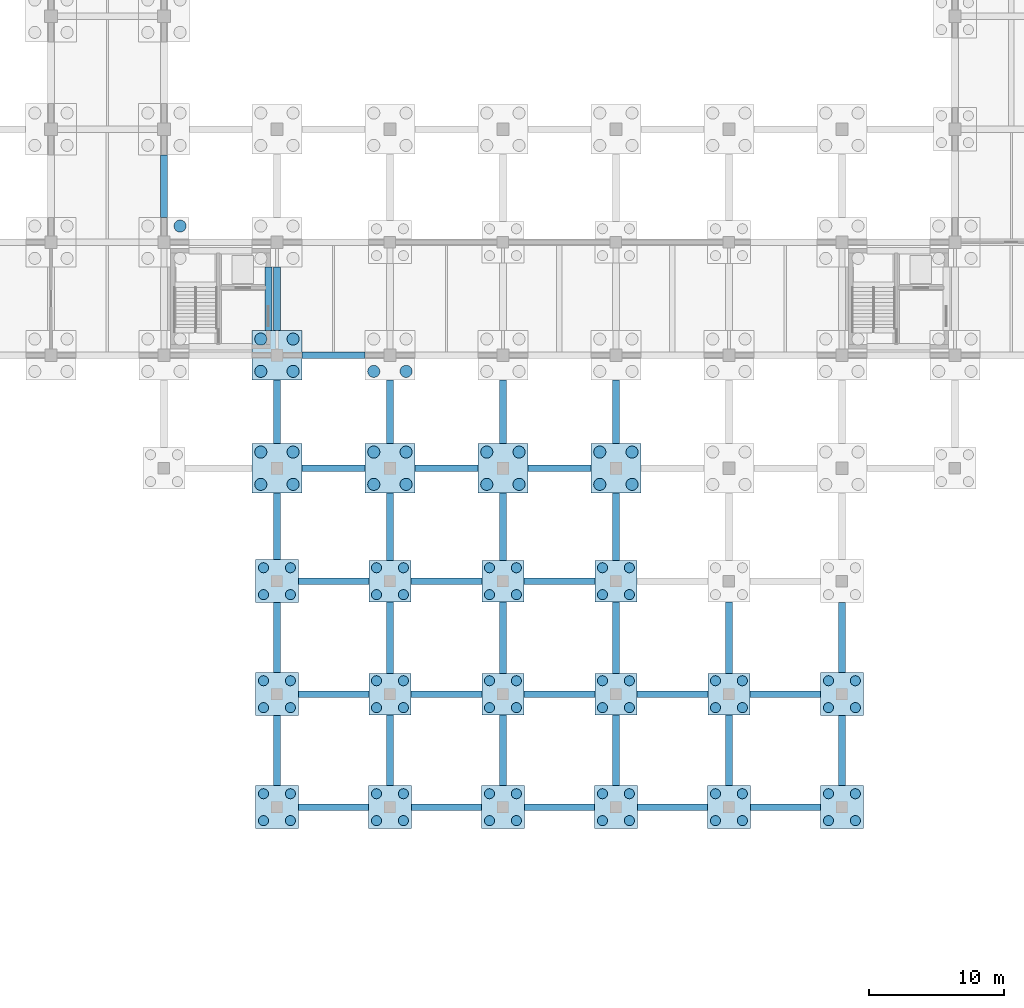
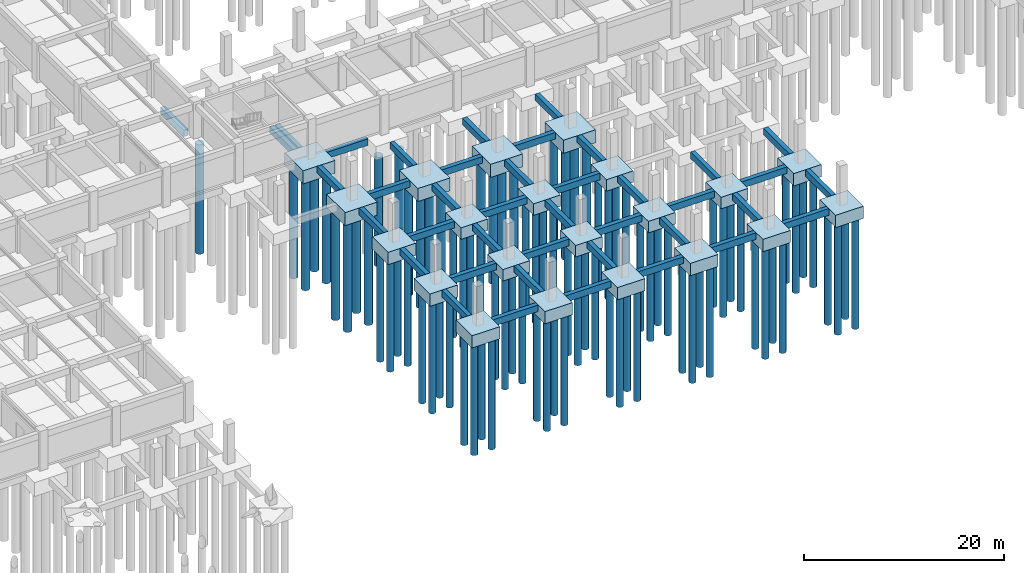
# One storey, part 3 of 29: 87 piles, 61 footings.
"""IFC4 building model written with IfcOpenShell, lengths in metres."""

import ifcopenshell
import ifcopenshell.guid

model = None  # the IFC model being written
_history = None  # IfcOwnerHistory: only IFC2X3 demands one
_inside = {}  # id of a spatial element -> (the spatial element, [elements in it])
_under = {}  # id of a project, library or spatial element -> (it, [spatial elements below it])
_declared = {}  # id of a project -> (the project, [libraries it declares])
_typed = {}  # id of a type object -> (the type object, [elements of that type])
_made_of = {}  # id of a material, layer set ... -> (it, [elements and type objects made of it])


def new_model(schema):
    """Start an empty IFC model of exactly this schema.

    Asked for "IFC4X3", IfcOpenShell would pick the latest addendum, in which some entities
    have other attributes; the version numbers below select the first issue.
    IFC2X3 requires an IfcOwnerHistory on every rooted entity: one is made here for all.
    """
    global model, _history
    if schema == "IFC4X3":
        model = ifcopenshell.file(schema_version=(4, 3, 0, 0))
    else:
        model = ifcopenshell.file(schema=schema)
    _inside.clear()
    _under.clear()
    _declared.clear()
    _typed.clear()
    _made_of.clear()
    _history = None
    if model.schema == "IFC2X3":
        org = make("IfcOrganization", Name="unknown")
        user = make(
            "IfcPersonAndOrganization",
            ThePerson=make("IfcPerson", FamilyName="unknown"),
            TheOrganization=org,
        )
        app = make(
            "IfcApplication",
            ApplicationDeveloper=org,
            Version="unknown",
            ApplicationFullName="unknown",
            ApplicationIdentifier="unknown",
        )
        _history = make(
            "IfcOwnerHistory",
            OwningUser=user,
            OwningApplication=app,
            ChangeAction="ADDED",
            CreationDate=0,
        )
    return model


def make(cls, **values):
    """One entity of the class cls with the attributes given. An attribute that is None is left unset."""
    return model.create_entity(
        cls, **{name: value for name, value in values.items() if value is not None}
    )


def rooted(cls, **values):
    """An entity with a GlobalId (a new one), such as an element, a storey or a relation."""
    return make(cls, GlobalId=ifcopenshell.guid.new(), OwnerHistory=_history, **values)


def si_unit(unit_type, name, prefix=None):
    """IfcSIUnit, for example si_unit("LENGTHUNIT", "METRE", prefix="MILLI")."""
    return make("IfcSIUnit", UnitType=unit_type, Prefix=prefix, Name=name)


def assignment(units):
    """IfcUnitAssignment: the units of a project."""
    return None if units is None else make("IfcUnitAssignment", Units=units)


def point(xyz):
    """IfcCartesianPoint."""
    return None if xyz is None else make("IfcCartesianPoint", Coordinates=xyz)


def direction(xyz):
    """IfcDirection."""
    return None if xyz is None else make("IfcDirection", DirectionRatios=xyz)


def frame(location, z_axis=None, x_axis=None):
    """IfcAxis2Placement3D, a coordinate frame: its origin and axes. An axis left out is left unset."""
    return make(
        "IfcAxis2Placement3D",
        Location=point(location),
        Axis=direction(z_axis),
        RefDirection=direction(x_axis),
    )


def frame_2d(location, x_axis=None):
    """IfcAxis2Placement2D, a coordinate frame in the plane: its origin and x axis."""
    return make(
        "IfcAxis2Placement2D", Location=point(location), RefDirection=direction(x_axis)
    )


def origin():
    """The frame at (0, 0, 0) with its axes left unset."""
    return frame((0.0, 0.0, 0.0))


def origin_2d():
    """The frame at (0, 0) in the plane with its x axis left unset."""
    return frame_2d((0.0, 0.0))


def place(relative_to, where):
    """IfcLocalPlacement: puts the frame where relative to a parent placement (None: the world)."""
    return make(
        "IfcLocalPlacement", PlacementRelTo=relative_to, RelativePlacement=where
    )


def context(
    kind, dimensions, precision=None, world=None, true_north=None, identifier=None
):
    """IfcGeometricRepresentationContext, for example the 3D "Model" context."""
    return make(
        "IfcGeometricRepresentationContext",
        ContextIdentifier=identifier,
        ContextType=kind,
        CoordinateSpaceDimension=dimensions,
        Precision=precision,
        WorldCoordinateSystem=world,
        TrueNorth=true_north,
    )


def subcontext(parent, identifier, kind, view, scale=None):
    """IfcGeometricRepresentationSubContext, for example "Body" below "Model"."""
    return make(
        "IfcGeometricRepresentationSubContext",
        ContextIdentifier=identifier,
        ContextType=kind,
        ParentContext=parent,
        TargetScale=scale,
        TargetView=view,
    )


def project(units=None, contexts=None):
    """IfcProject with its units and contexts."""
    return rooted(
        "IfcProject",
        Name="project",
        RepresentationContexts=contexts,
        UnitsInContext=assignment(units),
    )


def spatial(cls, under=None, at=None, **own):
    """A site, building, storey or space (cls), placed at a placement, below another one or the project."""
    s = rooted(cls, ObjectPlacement=at, **own)
    if under is not None:
        _under.setdefault(under.id(), (under, []))[1].append(s)
    return s


def profile(cls, at=None, kind="AREA", **sizes):
    """A parametric profile (cls). Its sizes go by their IFC names, for example OverallWidth=200.0."""
    return make(cls, ProfileType=kind, Position=at, **sizes)


def rectangle(**sizes):
    """IfcRectangleProfileDef."""
    return profile("IfcRectangleProfileDef", **sizes)


def circle(**sizes):
    """IfcCircleProfileDef."""
    return profile("IfcCircleProfileDef", **sizes)


def extrude(swept, where, along, depth):
    """IfcExtrudedAreaSolid: the profile swept, set in the frame where, extruded along a direction by depth."""
    return make(
        "IfcExtrudedAreaSolid",
        SweptArea=swept,
        Position=where,
        ExtrudedDirection=direction(along),
        Depth=depth,
    )


def shape(context_of_items, identifier, shape_type, items):
    """IfcShapeRepresentation: the items that make up one representation, for example the "Body"."""
    return make(
        "IfcShapeRepresentation",
        ContextOfItems=context_of_items,
        RepresentationIdentifier=identifier,
        RepresentationType=shape_type,
        Items=items,
    )


def material(Name=None, Category=None):
    """IfcMaterial."""
    return make("IfcMaterial", Name=Name, Category=Category)


def material_profile(
    of_material, cross_section, Name=None, Category=None, Priority=None
):
    """IfcMaterialProfile: a cross section and its material."""
    return make(
        "IfcMaterialProfile",
        Name=Name,
        Material=of_material,
        Profile=cross_section,
        Priority=Priority,
        Category=Category,
    )


def profile_set(profiles, Name=None, composite=None):
    """IfcMaterialProfileSet."""
    return make(
        "IfcMaterialProfileSet",
        Name=Name,
        MaterialProfiles=profiles,
        CompositeProfile=composite,
    )


def made_of(thing, what):
    """Note that an element or type object is made of a material, layer set ...; save() writes the relation."""
    if what is not None:
        _made_of.setdefault(what.id(), (what, []))[1].append(thing)
    return thing


def type_object(cls, material=None, **own):
    """A type object (cls), such as IfcWallType, which elements share."""
    return made_of(rooted(cls, **own), material)


def element(
    cls,
    number,
    at=None,
    inside=None,
    cuts=None,
    type_object=None,
    material=None,
    context=None,
    identifier="Body",
    shape_type=None,
    held_by="IfcProductDefinitionShape",
    body=None,
    shapes=None,
    **own,
):
    """One element of the class cls, such as IfcWall. Its Tag is "e" and its number.

    at: its placement. inside: the storey or other place that contains it. cuts: it is an
    opening in that element (IfcRelVoidsElement). A single representation is given by context,
    identifier, shape_type and body (its items); several are given by shapes. held_by: the class
    of the entity that holds the representations. save() writes the other relations.
    """
    e = rooted(cls, Tag="e%d" % number, ObjectPlacement=at, **own)
    if body is not None:
        shapes = [shape(context, identifier, shape_type, body)]
    if shapes is not None:
        e.Representation = make(held_by, Representations=shapes)
    if inside is not None:
        _inside.setdefault(inside.id(), (inside, []))[1].append(e)
    if cuts is not None:
        rooted(
            "IfcRelVoidsElement", RelatingBuildingElement=cuts, RelatedOpeningElement=e
        )
    if type_object is not None:
        _typed.setdefault(type_object.id(), (type_object, []))[1].append(e)
    return made_of(e, material)


def aggregate(whole, parts):
    """IfcRelAggregates: a whole, such as a stair, and the parts it consists of."""
    return rooted("IfcRelAggregates", RelatingObject=whole, RelatedObjects=parts)


def save(model, path):
    """Write the relations noted so far, then the file.

    IfcRelAggregates (storeys below a building ...), IfcRelContainedInSpatialStructure (elements
    in a storey), IfcRelDefinesByType, IfcRelAssociatesMaterial and IfcRelDeclares: one each for
    every whole, place, type object, material and project.
    """
    for whole, parts in _under.values():
        aggregate(whole, parts)
    for where, things in _inside.values():
        rooted(
            "IfcRelContainedInSpatialStructure",
            RelatedElements=things,
            RelatingStructure=where,
        )
    for kind, things in _typed.values():
        rooted("IfcRelDefinesByType", RelatedObjects=things, RelatingType=kind)
    for what, things in _made_of.values():
        rooted("IfcRelAssociatesMaterial", RelatedObjects=things, RelatingMaterial=what)
    for by, libraries in _declared.values():
        rooted("IfcRelDeclares", RelatingContext=by, RelatedDefinitions=libraries)
    model.write(path)


model = new_model("IFC4")

# Units and contexts
model_context = context("Model", 3, precision=1e-05, world=origin(), true_north=direction((0.0, 1.0)))
body_context = subcontext(model_context, "Body", "Model", "MODEL_VIEW")
ifc_project = project(units=[si_unit("LENGTHUNIT", "METRE"), si_unit("AREAUNIT", "SQUARE_METRE"), si_unit("VOLUMEUNIT", "CUBIC_METRE"), si_unit("PLANEANGLEUNIT", "RADIAN"), si_unit("MASSUNIT", "GRAM", prefix="KILO")], contexts=[model_context])

# Site, building, storey
site_placement = place(None, origin())
site = spatial("IfcSite", under=ifc_project, at=site_placement, CompositionType="ELEMENT")
building_placement = place(site_placement, origin())
building = spatial("IfcBuilding", under=site, at=building_placement, Name="Porcellanite Civic Hall", CompositionType="ELEMENT")
storey_placement = place(building_placement, frame((0.0, 0.0, -4.5)))
storey = spatial("IfcBuildingStorey", under=building, at=storey_placement, Name="B1", CompositionType="ELEMENT", Elevation=-4.5)

# Footings
ifc_material_1 = material(Name="Concrete N40 (40 MPa)", Category="concrete")
ifc_material_profile_1 = material_profile(ifc_material_1, rectangle(XDim=0.5, YDim=0.800048828125, at=origin_2d()), Name="RC-500x800")
ifc_profile_set_1 = profile_set([ifc_material_profile_1], Name="Concrete N40 (40 MPa)")
footing_type_1 = type_object("IfcFootingType", Name="GB-01", PredefinedType="FOOTING_BEAM", material=ifc_profile_set_1)
footing_1_placement = place(storey_placement, frame((58.800048828125, 60.64990234375, -0.75), z_axis=(0.0, 1.0, 0.0), x_axis=(-1.0, 0.0, 0.0)))
element("IfcFooting", 1, at=footing_1_placement, inside=storey, type_object=footing_type_1, Name="Ground tie beam B1 7-7 Y", PredefinedType="FOOTING_BEAM", context=body_context, shape_type="SweptSolid", body=[
    extrude(rectangle(XDim=0.5, YDim=0.800048828125, at=origin_2d()), origin(), (0.0, 0.0, 1.0), 4.650146484375),
])
footing_2_placement = place(storey_placement, frame((68.800048828125, 16.800048828125, -0.75), z_axis=(1.0, 0.0, 0.0), x_axis=(0.0, 1.0, 0.0)))
element("IfcFooting", 2, at=footing_2_placement, inside=storey, type_object=footing_type_1, Name="Ground tie beam B1 8-2 X", PredefinedType="FOOTING_BEAM", context=body_context, shape_type="SweptSolid", body=[
    extrude(rectangle(XDim=0.5, YDim=0.800048828125, at=origin_2d()), origin(), (0.0, 0.0, 1.0), 5.199951171875),
])
footing_3_placement = place(storey_placement, frame((67.199951171875, 18.39990234375, -0.75), z_axis=(0.0, 1.0, 0.0), x_axis=(-1.0, 0.0, 0.0)))
element("IfcFooting", 3, at=footing_3_placement, inside=storey, type_object=footing_type_1, Name="Ground tie beam B1 8-2 Y", PredefinedType="FOOTING_BEAM", context=body_context, shape_type="SweptSolid", body=[
    extrude(rectangle(XDim=0.5, YDim=0.800048828125, at=origin_2d()), origin(), (0.0, 0.0, 1.0), 5.2001953125),
])
footing_4_placement = place(storey_placement, frame((68.800048828125, 25.199951171875, -0.75), z_axis=(1.0, 0.0, 0.0), x_axis=(0.0, 1.0, 0.0)))
element("IfcFooting", 4, at=footing_4_placement, inside=storey, type_object=footing_type_1, Name="Ground tie beam B1 8-3 X", PredefinedType="FOOTING_BEAM", context=body_context, shape_type="SweptSolid", body=[
    extrude(rectangle(XDim=0.5, YDim=0.800048828125, at=origin_2d()), origin(), (0.0, 0.0, 1.0), 5.25),
])
footing_5_placement = place(storey_placement, frame((67.199951171875, 26.800048828125, -0.75), z_axis=(0.0, 1.0, 0.0), x_axis=(-1.0, 0.0, 0.0)))
element("IfcFooting", 5, at=footing_5_placement, inside=storey, type_object=footing_type_1, Name="Ground tie beam B1 8-3 Y", PredefinedType="FOOTING_BEAM", context=body_context, shape_type="SweptSolid", body=[
    extrude(rectangle(XDim=0.5, YDim=0.800048828125, at=origin_2d()), origin(), (0.0, 0.0, 1.0), 5.199951171875),
])
footing_6_placement = place(storey_placement, frame((68.800048828125, 33.60009765625, -0.75), z_axis=(1.0, 0.0, 0.0), x_axis=(0.0, 1.0, 0.0)))
element("IfcFooting", 6, at=footing_6_placement, inside=storey, type_object=footing_type_1, Name="Ground tie beam B1 8-4 X", PredefinedType="FOOTING_BEAM", context=body_context, shape_type="SweptSolid", body=[
    extrude(rectangle(XDim=0.5, YDim=0.800048828125, at=origin_2d()), origin(), (0.0, 0.0, 1.0), 5.25),
])
footing_7_placement = place(storey_placement, frame((67.199951171875, 35.199951171875, -0.75), z_axis=(0.0, 1.0, 0.0), x_axis=(-1.0, 0.0, 0.0)))
element("IfcFooting", 7, at=footing_7_placement, inside=storey, type_object=footing_type_1, Name="Ground tie beam B1 8-4 Y", PredefinedType="FOOTING_BEAM", context=body_context, shape_type="SweptSolid", body=[
    extrude(rectangle(XDim=0.5, YDim=0.800048828125, at=origin_2d()), origin(), (0.0, 0.0, 1.0), 4.949951171875),
])
for number, where, z_axis, x_axis, name in (
    (8, (69.050048828125, 42.0, -0.75), (1.0, 0.0, 0.0), (0.0, 1.0, 0.0), "Ground tie beam B1 8-5 X"),
    (9, (67.199951171875, 43.85009765625, -0.75), (0.0, 1.0, 0.0), (-1.0, 0.0, 0.0), "Ground tie beam B1 8-5 Y"),
    (10, (69.050048828125, 50.39990234375, -0.75), (1.0, 0.0, 0.0), (0.0, 1.0, 0.0), "Ground tie beam B1 8-6 X"),
    (11, (67.199951171875, 52.25, -0.75), (0.0, 1.0, 0.0), (-1.0, 0.0, 0.0), "Ground tie beam B1 8-6 Y"),
):
    element("IfcFooting", number, at=place(storey_placement, frame(where, z_axis=z_axis, x_axis=x_axis)), inside=storey, type_object=footing_type_1, Name=name, PredefinedType="FOOTING_BEAM", context=body_context, shape_type="SweptSolid", body=[
        extrude(rectangle(XDim=0.5, YDim=0.800048828125, at=origin_2d()), origin(), (0.0, 0.0, 1.0), 4.699951171875),
    ])
footing_8_placement = place(storey_placement, frame((77.199951171875, 16.800048828125, -0.75), z_axis=(1.0, 0.0, 0.0), x_axis=(0.0, 1.0, 0.0)))
element("IfcFooting", 12, at=footing_8_placement, inside=storey, type_object=footing_type_1, Name="Ground tie beam B1 9-2 X", PredefinedType="FOOTING_BEAM", context=body_context, shape_type="SweptSolid", body=[
    extrude(rectangle(XDim=0.5, YDim=0.800048828125, at=origin_2d()), origin(), (0.0, 0.0, 1.0), 5.199951171875),
])
footing_9_placement = place(storey_placement, frame((75.60009765625, 18.39990234375, -0.75), z_axis=(0.0, 1.0, 0.0), x_axis=(-1.0, 0.0, 0.0)))
element("IfcFooting", 13, at=footing_9_placement, inside=storey, type_object=footing_type_1, Name="Ground tie beam B1 9-2 Y", PredefinedType="FOOTING_BEAM", context=body_context, shape_type="SweptSolid", body=[
    extrude(rectangle(XDim=0.5, YDim=0.800048828125, at=origin_2d()), origin(), (0.0, 0.0, 1.0), 5.25),
])
for number, where, z_axis, x_axis, name in (
    (14, (77.14990234375, 25.199951171875, -0.75), (1.0, 0.0, 0.0), (0.0, 1.0, 0.0), "Ground tie beam B1 9-3 X"),
    (15, (75.60009765625, 26.75, -0.75), (0.0, 1.0, 0.0), (-1.0, 0.0, 0.0), "Ground tie beam B1 9-3 Y"),
    (16, (77.14990234375, 33.60009765625, -0.75), (1.0, 0.0, 0.0), (0.0, 1.0, 0.0), "Ground tie beam B1 9-4 X"),
):
    element("IfcFooting", number, at=place(storey_placement, frame(where, z_axis=z_axis, x_axis=x_axis)), inside=storey, type_object=footing_type_1, Name=name, PredefinedType="FOOTING_BEAM", context=body_context, shape_type="SweptSolid", body=[
        extrude(rectangle(XDim=0.5, YDim=0.800048828125, at=origin_2d()), origin(), (0.0, 0.0, 1.0), 5.300048828125),
    ])
footing_10_placement = place(storey_placement, frame((75.60009765625, 35.14990234375, -0.75), z_axis=(0.0, 1.0, 0.0), x_axis=(-1.0, 0.0, 0.0)))
element("IfcFooting", 17, at=footing_10_placement, inside=storey, type_object=footing_type_1, Name="Ground tie beam B1 9-4 Y", PredefinedType="FOOTING_BEAM", context=body_context, shape_type="SweptSolid", body=[
    extrude(rectangle(XDim=0.5, YDim=0.800048828125, at=origin_2d()), origin(), (0.0, 0.0, 1.0), 5.0),
])
for number, where, z_axis, x_axis, name in (
    (18, (77.449951171875, 42.0, -0.75), (1.0, 0.0, 0.0), (0.0, 1.0, 0.0), "Ground tie beam B1 9-5 X"),
    (19, (75.60009765625, 43.85009765625, -0.75), (0.0, 1.0, 0.0), (-1.0, 0.0, 0.0), "Ground tie beam B1 9-5 Y"),
):
    element("IfcFooting", number, at=place(storey_placement, frame(where, z_axis=z_axis, x_axis=x_axis)), inside=storey, type_object=footing_type_1, Name=name, PredefinedType="FOOTING_BEAM", context=body_context, shape_type="SweptSolid", body=[
        extrude(rectangle(XDim=0.5, YDim=0.800048828125, at=origin_2d()), origin(), (0.0, 0.0, 1.0), 4.699951171875),
    ])
footing_11_placement = place(storey_placement, frame((85.60009765625, 16.800048828125, -0.75), z_axis=(1.0, 0.0, 0.0), x_axis=(0.0, 1.0, 0.0)))
element("IfcFooting", 20, at=footing_11_placement, inside=storey, type_object=footing_type_1, Name="Ground tie beam B1 10-2 X", PredefinedType="FOOTING_BEAM", context=body_context, shape_type="SweptSolid", body=[
    extrude(rectangle(XDim=0.5, YDim=0.800048828125, at=origin_2d()), origin(), (0.0, 0.0, 1.0), 5.199951171875),
])
footing_12_placement = place(storey_placement, frame((84.0, 18.39990234375, -0.75), z_axis=(0.0, 1.0, 0.0), x_axis=(-1.0, 0.0, 0.0)))
element("IfcFooting", 21, at=footing_12_placement, inside=storey, type_object=footing_type_1, Name="Ground tie beam B1 10-2 Y", PredefinedType="FOOTING_BEAM", context=body_context, shape_type="SweptSolid", body=[
    extrude(rectangle(XDim=0.5, YDim=0.800048828125, at=origin_2d()), origin(), (0.0, 0.0, 1.0), 5.25),
])
for number, where, z_axis, x_axis, name in (
    (22, (85.550048828125, 25.199951171875, -0.75), (1.0, 0.0, 0.0), (0.0, 1.0, 0.0), "Ground tie beam B1 10-3 X"),
    (23, (84.0, 26.75, -0.75), (0.0, 1.0, 0.0), (-1.0, 0.0, 0.0), "Ground tie beam B1 10-3 Y"),
    (24, (85.550048828125, 33.60009765625, -0.75), (1.0, 0.0, 0.0), (0.0, 1.0, 0.0), "Ground tie beam B1 10-4 X"),
):
    element("IfcFooting", number, at=place(storey_placement, frame(where, z_axis=z_axis, x_axis=x_axis)), inside=storey, type_object=footing_type_1, Name=name, PredefinedType="FOOTING_BEAM", context=body_context, shape_type="SweptSolid", body=[
        extrude(rectangle(XDim=0.5, YDim=0.800048828125, at=origin_2d()), origin(), (0.0, 0.0, 1.0), 5.300048828125),
    ])
footing_13_placement = place(storey_placement, frame((84.0, 35.14990234375, -0.75), z_axis=(0.0, 1.0, 0.0), x_axis=(-1.0, 0.0, 0.0)))
element("IfcFooting", 25, at=footing_13_placement, inside=storey, type_object=footing_type_1, Name="Ground tie beam B1 10-4 Y", PredefinedType="FOOTING_BEAM", context=body_context, shape_type="SweptSolid", body=[
    extrude(rectangle(XDim=0.5, YDim=0.800048828125, at=origin_2d()), origin(), (0.0, 0.0, 1.0), 5.0),
])
for number, where, z_axis, x_axis, name in (
    (26, (85.85009765625, 42.0, -0.75), (1.0, 0.0, 0.0), (0.0, 1.0, 0.0), "Ground tie beam B1 10-5 X"),
    (27, (84.0, 43.85009765625, -0.75), (0.0, 1.0, 0.0), (-1.0, 0.0, 0.0), "Ground tie beam B1 10-5 Y"),
):
    element("IfcFooting", number, at=place(storey_placement, frame(where, z_axis=z_axis, x_axis=x_axis)), inside=storey, type_object=footing_type_1, Name=name, PredefinedType="FOOTING_BEAM", context=body_context, shape_type="SweptSolid", body=[
        extrude(rectangle(XDim=0.5, YDim=0.800048828125, at=origin_2d()), origin(), (0.0, 0.0, 1.0), 4.699951171875),
    ])
footing_14_placement = place(storey_placement, frame((94.0, 16.800048828125, -0.75), z_axis=(1.0, 0.0, 0.0), x_axis=(0.0, 1.0, 0.0)))
element("IfcFooting", 28, at=footing_14_placement, inside=storey, type_object=footing_type_1, Name="Ground tie beam B1 11-2 X", PredefinedType="FOOTING_BEAM", context=body_context, shape_type="SweptSolid", body=[
    extrude(rectangle(XDim=0.5, YDim=0.800048828125, at=origin_2d()), origin(), (0.0, 0.0, 1.0), 5.199951171875),
])
footing_15_placement = place(storey_placement, frame((92.39990234375, 18.39990234375, -0.75), z_axis=(0.0, 1.0, 0.0), x_axis=(-1.0, 0.0, 0.0)))
element("IfcFooting", 29, at=footing_15_placement, inside=storey, type_object=footing_type_1, Name="Ground tie beam B1 11-2 Y", PredefinedType="FOOTING_BEAM", context=body_context, shape_type="SweptSolid", body=[
    extrude(rectangle(XDim=0.5, YDim=0.800048828125, at=origin_2d()), origin(), (0.0, 0.0, 1.0), 5.25),
])
for number, where, z_axis, x_axis, name in (
    (30, (93.949951171875, 25.199951171875, -0.75), (1.0, 0.0, 0.0), (0.0, 1.0, 0.0), "Ground tie beam B1 11-3 X"),
    (31, (92.39990234375, 26.75, -0.75), (0.0, 1.0, 0.0), (-1.0, 0.0, 0.0), "Ground tie beam B1 11-3 Y"),
):
    element("IfcFooting", number, at=place(storey_placement, frame(where, z_axis=z_axis, x_axis=x_axis)), inside=storey, type_object=footing_type_1, Name=name, PredefinedType="FOOTING_BEAM", context=body_context, shape_type="SweptSolid", body=[
        extrude(rectangle(XDim=0.5, YDim=0.800048828125, at=origin_2d()), origin(), (0.0, 0.0, 1.0), 5.300048828125),
    ])
footing_16_placement = place(storey_placement, frame((92.39990234375, 35.14990234375, -0.75), z_axis=(0.0, 1.0, 0.0), x_axis=(-1.0, 0.0, 0.0)))
element("IfcFooting", 32, at=footing_16_placement, inside=storey, type_object=footing_type_1, Name="Ground tie beam B1 11-4 Y", PredefinedType="FOOTING_BEAM", context=body_context, shape_type="SweptSolid", body=[
    extrude(rectangle(XDim=0.5, YDim=0.800048828125, at=origin_2d()), origin(), (0.0, 0.0, 1.0), 5.0),
])
footing_17_placement = place(storey_placement, frame((92.39990234375, 43.85009765625, -0.75), z_axis=(0.0, 1.0, 0.0), x_axis=(-1.0, 0.0, 0.0)))
element("IfcFooting", 33, at=footing_17_placement, inside=storey, type_object=footing_type_1, Name="Ground tie beam B1 11-5 Y", PredefinedType="FOOTING_BEAM", context=body_context, shape_type="SweptSolid", body=[
    extrude(rectangle(XDim=0.5, YDim=0.800048828125, at=origin_2d()), origin(), (0.0, 0.0, 1.0), 4.699951171875),
])
footing_18_placement = place(storey_placement, frame((102.39990234375, 16.800048828125, -0.75), z_axis=(1.0, 0.0, 0.0), x_axis=(0.0, 1.0, 0.0)))
element("IfcFooting", 34, at=footing_18_placement, inside=storey, type_object=footing_type_1, Name="Ground tie beam B1 12-2 X", PredefinedType="FOOTING_BEAM", context=body_context, shape_type="SweptSolid", body=[
    extrude(rectangle(XDim=0.5, YDim=0.800048828125, at=origin_2d()), origin(), (0.0, 0.0, 1.0), 5.2001953125),
])
for number, where, z_axis, x_axis, name in (
    (35, (100.800048828125, 18.39990234375, -0.75), (0.0, 1.0, 0.0), (-1.0, 0.0, 0.0), "Ground tie beam B1 12-2 Y"),
    (36, (102.35009765625, 25.199951171875, -0.75), (1.0, 0.0, 0.0), (0.0, 1.0, 0.0), "Ground tie beam B1 12-3 X"),
):
    element("IfcFooting", number, at=place(storey_placement, frame(where, z_axis=z_axis, x_axis=x_axis)), inside=storey, type_object=footing_type_1, Name=name, PredefinedType="FOOTING_BEAM", context=body_context, shape_type="SweptSolid", body=[
        extrude(rectangle(XDim=0.5, YDim=0.800048828125, at=origin_2d()), origin(), (0.0, 0.0, 1.0), 5.25),
    ])
footing_19_placement = place(storey_placement, frame((100.800048828125, 26.75, -0.75), z_axis=(0.0, 1.0, 0.0), x_axis=(-1.0, 0.0, 0.0)))
element("IfcFooting", 37, at=footing_19_placement, inside=storey, type_object=footing_type_1, Name="Ground tie beam B1 12-3 Y", PredefinedType="FOOTING_BEAM", context=body_context, shape_type="SweptSolid", body=[
    extrude(rectangle(XDim=0.5, YDim=0.800048828125, at=origin_2d()), origin(), (0.0, 0.0, 1.0), 5.300048828125),
])
footing_20_placement = place(storey_placement, frame((109.199951171875, 18.39990234375, -0.75), z_axis=(0.0, 1.0, 0.0), x_axis=(-1.0, 0.0, 0.0)))
element("IfcFooting", 38, at=footing_20_placement, inside=storey, type_object=footing_type_1, Name="Ground tie beam B1 13-2 Y", PredefinedType="FOOTING_BEAM", context=body_context, shape_type="SweptSolid", body=[
    extrude(rectangle(XDim=0.5, YDim=0.800048828125, at=origin_2d()), origin(), (0.0, 0.0, 1.0), 5.2001953125),
])
footing_21_placement = place(storey_placement, frame((109.199951171875, 26.800048828125, -0.75), z_axis=(0.0, 1.0, 0.0), x_axis=(-1.0, 0.0, 0.0)))
element("IfcFooting", 39, at=footing_21_placement, inside=storey, type_object=footing_type_1, Name="Ground tie beam B1 13-3 Y", PredefinedType="FOOTING_BEAM", context=body_context, shape_type="SweptSolid", body=[
    extrude(rectangle(XDim=0.5, YDim=0.800048828125, at=origin_2d()), origin(), (0.0, 0.0, 1.0), 5.199951171875),
])
footing_22_placement = place(storey_placement, frame((66.570068359375, 52.25, -0.75), z_axis=(0.0, 1.0, 0.0), x_axis=(-1.0, 0.0, 0.0)))
element("IfcFooting", 40, at=footing_22_placement, inside=storey, type_object=footing_type_1, Name="Core strip footing C5 E", PredefinedType="FOOTING_BEAM", context=body_context, shape_type="SweptSolid", body=[
    extrude(rectangle(XDim=0.5, YDim=0.800048828125, at=origin_2d()), origin(), (0.0, 0.0, 1.0), 4.699951171875),
])
ifc_material_2 = material(Name="Concrete N40 (40 MPa)", Category="concrete")
footing_type_2 = type_object("IfcFootingType", Name="PC-01", PredefinedType="PILE_CAP", material=ifc_material_2)
for number, where, z_axis, x_axis, name in (
    (41, (75.60009765625, 25.199951171875, -1.75), (0.0, 0.0, 1.0), (1.0, 0.0, 0.0), "Pile cap 9-3"),
    (42, (75.60009765625, 33.60009765625, -1.75), (0.0, 0.0, 1.0), (1.0, 0.0, 0.0), "Pile cap 9-4"),
    (43, (84.0, 25.199951171875, -1.75), (0.0, 0.0, 1.0), (1.0, 0.0, 0.0), "Pile cap 10-3"),
    (44, (84.0, 33.60009765625, -1.75), (0.0, 0.0, 1.0), (1.0, 0.0, 0.0), "Pile cap 10-4"),
    (45, (92.39990234375, 25.199951171875, -1.75), (0.0, 0.0, 1.0), (1.0, 0.0, 0.0), "Pile cap 11-3"),
    (46, (92.39990234375, 33.60009765625, -1.75), (0.0, 0.0, 1.0), (1.0, 0.0, 0.0), "Pile cap 11-4"),
    (47, (100.800048828125, 25.199951171875, -1.75), (0.0, 0.0, 1.0), (1.0, 0.0, 0.0), "Pile cap 12-3"),
):
    element("IfcFooting", number, at=place(storey_placement, frame(where, z_axis=z_axis, x_axis=x_axis)), inside=storey, type_object=footing_type_2, Name=name, PredefinedType="PILE_CAP", context=body_context, shape_type="SweptSolid", body=[
        extrude(rectangle(XDim=3.10009765625, YDim=3.10009765625, at=origin_2d()), origin(), (0.0, 0.0, 1.0), 1.39990234375),
    ])
ifc_material_3 = material(Name="Concrete N40 (40 MPa)", Category="concrete")
footing_type_3 = type_object("IfcFootingType", Name="PC-02", PredefinedType="PILE_CAP", material=ifc_material_3)
for number, where, z_axis, x_axis, name in (
    (48, (67.199951171875, 16.800048828125, -1.85009765625), (0.0, 0.0, 1.0), (1.0, 0.0, 0.0), "Pile cap 8-2"),
    (49, (67.199951171875, 25.199951171875, -1.85009765625), (0.0, 0.0, 1.0), (1.0, 0.0, 0.0), "Pile cap 8-3"),
    (50, (67.199951171875, 33.60009765625, -1.85009765625), (0.0, 0.0, 1.0), (1.0, 0.0, 0.0), "Pile cap 8-4"),
    (51, (75.60009765625, 16.800048828125, -1.85009765625), (0.0, 0.0, 1.0), (1.0, 0.0, 0.0), "Pile cap 9-2"),
    (52, (84.0, 16.800048828125, -1.85009765625), (0.0, 0.0, 1.0), (1.0, 0.0, 0.0), "Pile cap 10-2"),
    (53, (92.39990234375, 16.800048828125, -1.85009765625), (0.0, 0.0, 1.0), (1.0, 0.0, 0.0), "Pile cap 11-2"),
    (54, (100.800048828125, 16.800048828125, -1.85009765625), (0.0, 0.0, 1.0), (1.0, 0.0, 0.0), "Pile cap 12-2"),
    (55, (109.199951171875, 16.800048828125, -1.85009765625), (0.0, 0.0, 1.0), (1.0, 0.0, 0.0), "Pile cap 13-2"),
    (56, (109.199951171875, 25.199951171875, -1.85009765625), (0.0, 0.0, 1.0), (1.0, 0.0, 0.0), "Pile cap 13-3"),
):
    element("IfcFooting", number, at=place(storey_placement, frame(where, z_axis=z_axis, x_axis=x_axis)), inside=storey, type_object=footing_type_3, Name=name, PredefinedType="PILE_CAP", context=body_context, shape_type="SweptSolid", body=[
        extrude(rectangle(XDim=3.199951171875, YDim=3.199951171875, at=origin_2d()), origin(), (0.0, 0.0, 1.0), 1.5),
    ])
ifc_material_4 = material(Name="Concrete N40 (40 MPa)", Category="concrete")
footing_type_4 = type_object("IfcFootingType", Name="PC-03", PredefinedType="PILE_CAP", material=ifc_material_4)
for number, where, z_axis, x_axis, name in (
    (57, (67.199951171875, 42.0, -1.949951171875), (0.0, 0.0, 1.0), (1.0, 0.0, 0.0), "Pile cap 8-5"),
    (58, (67.199951171875, 50.39990234375, -1.949951171875), (0.0, 0.0, 1.0), (1.0, 0.0, 0.0), "Pile cap 8-6"),
    (59, (75.60009765625, 42.0, -1.949951171875), (0.0, 0.0, 1.0), (1.0, 0.0, 0.0), "Pile cap 9-5"),
    (60, (84.0, 42.0, -1.949951171875), (0.0, 0.0, 1.0), (1.0, 0.0, 0.0), "Pile cap 10-5"),
    (61, (92.39990234375, 42.0, -1.949951171875), (0.0, 0.0, 1.0), (1.0, 0.0, 0.0), "Pile cap 11-5"),
):
    element("IfcFooting", number, at=place(storey_placement, frame(where, z_axis=z_axis, x_axis=x_axis)), inside=storey, type_object=footing_type_4, Name=name, PredefinedType="PILE_CAP", context=body_context, shape_type="SweptSolid", body=[
        extrude(rectangle(XDim=3.699951171875, YDim=3.699951171875, at=origin_2d()), origin(), (0.0, 0.0, 1.0), 1.60009765625),
    ])

# Piles
ifc_material_5 = material(Name="Concrete N40 (40 MPa)", Category="concrete")
ifc_material_profile_2 = material_profile(ifc_material_5, circle(Radius=0.375, at=origin_2d()), Name="PILE-D750")
ifc_profile_set_2 = profile_set([ifc_material_profile_2], Name="Concrete N40 (40 MPa)")
pile_type_1 = type_object("IfcPileType", Name="PL-750", PredefinedType="BORED", material=ifc_profile_set_2)
for number, where, z_axis, x_axis, name in (
    (62, (66.199951171875, 15.800048828125, -1.85009765625), (0.0, 0.0, -1.0), (1.0, 0.0, 0.0), "Bored pile 8-2-1"),
    (63, (66.199951171875, 17.800048828125, -1.85009765625), (0.0, 0.0, -1.0), (1.0, 0.0, 0.0), "Bored pile 8-2-2"),
    (64, (68.199951171875, 15.800048828125, -1.85009765625), (0.0, 0.0, -1.0), (1.0, 0.0, 0.0), "Bored pile 8-2-3"),
    (65, (68.199951171875, 17.800048828125, -1.85009765625), (0.0, 0.0, -1.0), (1.0, 0.0, 0.0), "Bored pile 8-2-4"),
    (66, (66.199951171875, 24.199951171875, -1.85009765625), (0.0, 0.0, -1.0), (1.0, 0.0, 0.0), "Bored pile 8-3-1"),
    (67, (66.199951171875, 26.199951171875, -1.85009765625), (0.0, 0.0, -1.0), (1.0, 0.0, 0.0), "Bored pile 8-3-2"),
    (68, (68.199951171875, 24.199951171875, -1.85009765625), (0.0, 0.0, -1.0), (1.0, 0.0, 0.0), "Bored pile 8-3-3"),
    (69, (68.199951171875, 26.199951171875, -1.85009765625), (0.0, 0.0, -1.0), (1.0, 0.0, 0.0), "Bored pile 8-3-4"),
    (70, (66.199951171875, 32.60009765625, -1.85009765625), (0.0, 0.0, -1.0), (1.0, 0.0, 0.0), "Bored pile 8-4-1"),
    (71, (66.199951171875, 34.60009765625, -1.85009765625), (0.0, 0.0, -1.0), (1.0, 0.0, 0.0), "Bored pile 8-4-2"),
    (72, (68.199951171875, 32.60009765625, -1.85009765625), (0.0, 0.0, -1.0), (1.0, 0.0, 0.0), "Bored pile 8-4-3"),
    (73, (68.199951171875, 34.60009765625, -1.85009765625), (0.0, 0.0, -1.0), (1.0, 0.0, 0.0), "Bored pile 8-4-4"),
    (74, (74.60009765625, 15.800048828125, -1.85009765625), (0.0, 0.0, -1.0), (1.0, 0.0, 0.0), "Bored pile 9-2-1"),
    (75, (74.60009765625, 17.800048828125, -1.85009765625), (0.0, 0.0, -1.0), (1.0, 0.0, 0.0), "Bored pile 9-2-2"),
    (76, (76.60009765625, 15.800048828125, -1.85009765625), (0.0, 0.0, -1.0), (1.0, 0.0, 0.0), "Bored pile 9-2-3"),
    (77, (76.60009765625, 17.800048828125, -1.85009765625), (0.0, 0.0, -1.0), (1.0, 0.0, 0.0), "Bored pile 9-2-4"),
):
    element("IfcPile", number, at=place(storey_placement, frame(where, z_axis=z_axis, x_axis=x_axis)), inside=storey, type_object=pile_type_1, Name=name, PredefinedType="BORED", context=body_context, shape_type="SweptSolid", body=[
        extrude(circle(Radius=0.375, at=origin_2d()), origin(), (0.0, 0.0, 1.0), 13.449951171875),
    ])
for number, where, z_axis, x_axis, name in (
    (78, (74.60009765625, 24.199951171875, -1.75), (0.0, 0.0, -1.0), (1.0, 0.0, 0.0), "Bored pile 9-3-1"),
    (79, (74.60009765625, 26.199951171875, -1.75), (0.0, 0.0, -1.0), (1.0, 0.0, 0.0), "Bored pile 9-3-2"),
    (80, (76.60009765625, 24.199951171875, -1.75), (0.0, 0.0, -1.0), (1.0, 0.0, 0.0), "Bored pile 9-3-3"),
    (81, (76.60009765625, 26.199951171875, -1.75), (0.0, 0.0, -1.0), (1.0, 0.0, 0.0), "Bored pile 9-3-4"),
    (82, (74.60009765625, 32.60009765625, -1.75), (0.0, 0.0, -1.0), (1.0, 0.0, 0.0), "Bored pile 9-4-1"),
    (83, (74.60009765625, 34.60009765625, -1.75), (0.0, 0.0, -1.0), (1.0, 0.0, 0.0), "Bored pile 9-4-2"),
    (84, (76.60009765625, 32.60009765625, -1.75), (0.0, 0.0, -1.0), (1.0, 0.0, 0.0), "Bored pile 9-4-3"),
    (85, (76.60009765625, 34.60009765625, -1.75), (0.0, 0.0, -1.0), (1.0, 0.0, 0.0), "Bored pile 9-4-4"),
):
    element("IfcPile", number, at=place(storey_placement, frame(where, z_axis=z_axis, x_axis=x_axis)), inside=storey, type_object=pile_type_1, Name=name, PredefinedType="BORED", context=body_context, shape_type="SweptSolid", body=[
        extrude(circle(Radius=0.375, at=origin_2d()), origin(), (0.0, 0.0, 1.0), 13.550048828125),
    ])
for number, where, z_axis, x_axis, name in (
    (86, (83.0, 15.800048828125, -1.85009765625), (0.0, 0.0, -1.0), (1.0, 0.0, 0.0), "Bored pile 10-2-1"),
    (87, (83.0, 17.800048828125, -1.85009765625), (0.0, 0.0, -1.0), (1.0, 0.0, 0.0), "Bored pile 10-2-2"),
    (88, (85.0, 15.800048828125, -1.85009765625), (0.0, 0.0, -1.0), (1.0, 0.0, 0.0), "Bored pile 10-2-3"),
    (89, (85.0, 17.800048828125, -1.85009765625), (0.0, 0.0, -1.0), (1.0, 0.0, 0.0), "Bored pile 10-2-4"),
):
    element("IfcPile", number, at=place(storey_placement, frame(where, z_axis=z_axis, x_axis=x_axis)), inside=storey, type_object=pile_type_1, Name=name, PredefinedType="BORED", context=body_context, shape_type="SweptSolid", body=[
        extrude(circle(Radius=0.375, at=origin_2d()), origin(), (0.0, 0.0, 1.0), 13.449951171875),
    ])
for number, where, z_axis, x_axis, name in (
    (90, (83.0, 24.199951171875, -1.75), (0.0, 0.0, -1.0), (1.0, 0.0, 0.0), "Bored pile 10-3-1"),
    (91, (83.0, 26.199951171875, -1.75), (0.0, 0.0, -1.0), (1.0, 0.0, 0.0), "Bored pile 10-3-2"),
    (92, (85.0, 24.199951171875, -1.75), (0.0, 0.0, -1.0), (1.0, 0.0, 0.0), "Bored pile 10-3-3"),
    (93, (85.0, 26.199951171875, -1.75), (0.0, 0.0, -1.0), (1.0, 0.0, 0.0), "Bored pile 10-3-4"),
    (94, (83.0, 32.60009765625, -1.75), (0.0, 0.0, -1.0), (1.0, 0.0, 0.0), "Bored pile 10-4-1"),
    (95, (83.0, 34.60009765625, -1.75), (0.0, 0.0, -1.0), (1.0, 0.0, 0.0), "Bored pile 10-4-2"),
    (96, (85.0, 32.60009765625, -1.75), (0.0, 0.0, -1.0), (1.0, 0.0, 0.0), "Bored pile 10-4-3"),
    (97, (85.0, 34.60009765625, -1.75), (0.0, 0.0, -1.0), (1.0, 0.0, 0.0), "Bored pile 10-4-4"),
):
    element("IfcPile", number, at=place(storey_placement, frame(where, z_axis=z_axis, x_axis=x_axis)), inside=storey, type_object=pile_type_1, Name=name, PredefinedType="BORED", context=body_context, shape_type="SweptSolid", body=[
        extrude(circle(Radius=0.375, at=origin_2d()), origin(), (0.0, 0.0, 1.0), 13.550048828125),
    ])
for number, where, z_axis, x_axis, name in (
    (98, (91.39990234375, 15.800048828125, -1.85009765625), (0.0, 0.0, -1.0), (1.0, 0.0, 0.0), "Bored pile 11-2-1"),
    (99, (91.39990234375, 17.800048828125, -1.85009765625), (0.0, 0.0, -1.0), (1.0, 0.0, 0.0), "Bored pile 11-2-2"),
    (100, (93.39990234375, 15.800048828125, -1.85009765625), (0.0, 0.0, -1.0), (1.0, 0.0, 0.0), "Bored pile 11-2-3"),
    (101, (93.39990234375, 17.800048828125, -1.85009765625), (0.0, 0.0, -1.0), (1.0, 0.0, 0.0), "Bored pile 11-2-4"),
):
    element("IfcPile", number, at=place(storey_placement, frame(where, z_axis=z_axis, x_axis=x_axis)), inside=storey, type_object=pile_type_1, Name=name, PredefinedType="BORED", context=body_context, shape_type="SweptSolid", body=[
        extrude(circle(Radius=0.375, at=origin_2d()), origin(), (0.0, 0.0, 1.0), 13.449951171875),
    ])
for number, where, z_axis, x_axis, name in (
    (102, (91.39990234375, 24.199951171875, -1.75), (0.0, 0.0, -1.0), (1.0, 0.0, 0.0), "Bored pile 11-3-1"),
    (103, (91.39990234375, 26.199951171875, -1.75), (0.0, 0.0, -1.0), (1.0, 0.0, 0.0), "Bored pile 11-3-2"),
    (104, (93.39990234375, 24.199951171875, -1.75), (0.0, 0.0, -1.0), (1.0, 0.0, 0.0), "Bored pile 11-3-3"),
    (105, (93.39990234375, 26.199951171875, -1.75), (0.0, 0.0, -1.0), (1.0, 0.0, 0.0), "Bored pile 11-3-4"),
    (106, (91.39990234375, 32.60009765625, -1.75), (0.0, 0.0, -1.0), (1.0, 0.0, 0.0), "Bored pile 11-4-1"),
    (107, (91.39990234375, 34.60009765625, -1.75), (0.0, 0.0, -1.0), (1.0, 0.0, 0.0), "Bored pile 11-4-2"),
    (108, (93.39990234375, 32.60009765625, -1.75), (0.0, 0.0, -1.0), (1.0, 0.0, 0.0), "Bored pile 11-4-3"),
    (109, (93.39990234375, 34.60009765625, -1.75), (0.0, 0.0, -1.0), (1.0, 0.0, 0.0), "Bored pile 11-4-4"),
):
    element("IfcPile", number, at=place(storey_placement, frame(where, z_axis=z_axis, x_axis=x_axis)), inside=storey, type_object=pile_type_1, Name=name, PredefinedType="BORED", context=body_context, shape_type="SweptSolid", body=[
        extrude(circle(Radius=0.375, at=origin_2d()), origin(), (0.0, 0.0, 1.0), 13.550048828125),
    ])
for number, where, z_axis, x_axis, name in (
    (110, (99.800048828125, 15.800048828125, -1.85009765625), (0.0, 0.0, -1.0), (1.0, 0.0, 0.0), "Bored pile 12-2-1"),
    (111, (99.800048828125, 17.800048828125, -1.85009765625), (0.0, 0.0, -1.0), (1.0, 0.0, 0.0), "Bored pile 12-2-2"),
    (112, (101.800048828125, 15.800048828125, -1.85009765625), (0.0, 0.0, -1.0), (1.0, 0.0, 0.0), "Bored pile 12-2-3"),
    (113, (101.800048828125, 17.800048828125, -1.85009765625), (0.0, 0.0, -1.0), (1.0, 0.0, 0.0), "Bored pile 12-2-4"),
):
    element("IfcPile", number, at=place(storey_placement, frame(where, z_axis=z_axis, x_axis=x_axis)), inside=storey, type_object=pile_type_1, Name=name, PredefinedType="BORED", context=body_context, shape_type="SweptSolid", body=[
        extrude(circle(Radius=0.375, at=origin_2d()), origin(), (0.0, 0.0, 1.0), 13.449951171875),
    ])
for number, where, z_axis, x_axis, name in (
    (114, (99.800048828125, 24.199951171875, -1.75), (0.0, 0.0, -1.0), (1.0, 0.0, 0.0), "Bored pile 12-3-1"),
    (115, (99.800048828125, 26.199951171875, -1.75), (0.0, 0.0, -1.0), (1.0, 0.0, 0.0), "Bored pile 12-3-2"),
    (116, (101.800048828125, 24.199951171875, -1.75), (0.0, 0.0, -1.0), (1.0, 0.0, 0.0), "Bored pile 12-3-3"),
    (117, (101.800048828125, 26.199951171875, -1.75), (0.0, 0.0, -1.0), (1.0, 0.0, 0.0), "Bored pile 12-3-4"),
):
    element("IfcPile", number, at=place(storey_placement, frame(where, z_axis=z_axis, x_axis=x_axis)), inside=storey, type_object=pile_type_1, Name=name, PredefinedType="BORED", context=body_context, shape_type="SweptSolid", body=[
        extrude(circle(Radius=0.375, at=origin_2d()), origin(), (0.0, 0.0, 1.0), 13.550048828125),
    ])
for number, where, z_axis, x_axis, name in (
    (118, (108.199951171875, 15.800048828125, -1.85009765625), (0.0, 0.0, -1.0), (1.0, 0.0, 0.0), "Bored pile 13-2-1"),
    (119, (108.199951171875, 17.800048828125, -1.85009765625), (0.0, 0.0, -1.0), (1.0, 0.0, 0.0), "Bored pile 13-2-2"),
    (120, (110.199951171875, 15.800048828125, -1.85009765625), (0.0, 0.0, -1.0), (1.0, 0.0, 0.0), "Bored pile 13-2-3"),
    (121, (110.199951171875, 17.800048828125, -1.85009765625), (0.0, 0.0, -1.0), (1.0, 0.0, 0.0), "Bored pile 13-2-4"),
    (122, (108.199951171875, 24.199951171875, -1.85009765625), (0.0, 0.0, -1.0), (1.0, 0.0, 0.0), "Bored pile 13-3-1"),
    (123, (108.199951171875, 26.199951171875, -1.85009765625), (0.0, 0.0, -1.0), (1.0, 0.0, 0.0), "Bored pile 13-3-2"),
    (124, (110.199951171875, 24.199951171875, -1.85009765625), (0.0, 0.0, -1.0), (1.0, 0.0, 0.0), "Bored pile 13-3-3"),
    (125, (110.199951171875, 26.199951171875, -1.85009765625), (0.0, 0.0, -1.0), (1.0, 0.0, 0.0), "Bored pile 13-3-4"),
):
    element("IfcPile", number, at=place(storey_placement, frame(where, z_axis=z_axis, x_axis=x_axis)), inside=storey, type_object=pile_type_1, Name=name, PredefinedType="BORED", context=body_context, shape_type="SweptSolid", body=[
        extrude(circle(Radius=0.375, at=origin_2d()), origin(), (0.0, 0.0, 1.0), 13.449951171875),
    ])
ifc_material_6 = material(Name="Concrete N40 (40 MPa)", Category="concrete")
ifc_material_profile_3 = material_profile(ifc_material_6, circle(Radius=0.449951171875, at=origin_2d()), Name="PILE-D900")
ifc_profile_set_3 = profile_set([ifc_material_profile_3], Name="Concrete N40 (40 MPa)")
pile_type_2 = type_object("IfcPileType", Name="PL-900", PredefinedType="BORED", material=ifc_profile_set_3)
for number, where, z_axis, x_axis, name in (
    (126, (60.0, 60.0, -1.949951171875), (0.0, 0.0, -1.0), (1.0, 0.0, 0.0), "Bored pile 7-7-4"),
    (127, (66.0, 40.800048828125, -1.949951171875), (0.0, 0.0, -1.0), (1.0, 0.0, 0.0), "Bored pile 8-5-1"),
    (128, (66.0, 43.199951171875, -1.949951171875), (0.0, 0.0, -1.0), (1.0, 0.0, 0.0), "Bored pile 8-5-2"),
    (129, (68.39990234375, 40.800048828125, -1.949951171875), (0.0, 0.0, -1.0), (1.0, 0.0, 0.0), "Bored pile 8-5-3"),
    (130, (68.39990234375, 43.199951171875, -1.949951171875), (0.0, 0.0, -1.0), (1.0, 0.0, 0.0), "Bored pile 8-5-4"),
    (131, (66.0, 49.199951171875, -1.949951171875), (0.0, 0.0, -1.0), (1.0, 0.0, 0.0), "Bored pile 8-6-1"),
    (132, (66.0, 51.60009765625, -1.949951171875), (0.0, 0.0, -1.0), (1.0, 0.0, 0.0), "Bored pile 8-6-2"),
    (133, (68.39990234375, 49.199951171875, -1.949951171875), (0.0, 0.0, -1.0), (1.0, 0.0, 0.0), "Bored pile 8-6-3"),
    (134, (68.39990234375, 51.60009765625, -1.949951171875), (0.0, 0.0, -1.0), (1.0, 0.0, 0.0), "Bored pile 8-6-4"),
    (135, (74.39990234375, 40.800048828125, -1.949951171875), (0.0, 0.0, -1.0), (1.0, 0.0, 0.0), "Bored pile 9-5-1"),
    (136, (74.39990234375, 43.199951171875, -1.949951171875), (0.0, 0.0, -1.0), (1.0, 0.0, 0.0), "Bored pile 9-5-2"),
    (137, (76.800048828125, 40.800048828125, -1.949951171875), (0.0, 0.0, -1.0), (1.0, 0.0, 0.0), "Bored pile 9-5-3"),
    (138, (76.800048828125, 43.199951171875, -1.949951171875), (0.0, 0.0, -1.0), (1.0, 0.0, 0.0), "Bored pile 9-5-4"),
    (139, (74.39990234375, 49.199951171875, -1.949951171875), (0.0, 0.0, -1.0), (1.0, 0.0, 0.0), "Bored pile 9-6-1"),
    (140, (76.800048828125, 49.199951171875, -1.949951171875), (0.0, 0.0, -1.0), (1.0, 0.0, 0.0), "Bored pile 9-6-3"),
    (141, (82.800048828125, 40.800048828125, -1.949951171875), (0.0, 0.0, -1.0), (1.0, 0.0, 0.0), "Bored pile 10-5-1"),
    (142, (82.800048828125, 43.199951171875, -1.949951171875), (0.0, 0.0, -1.0), (1.0, 0.0, 0.0), "Bored pile 10-5-2"),
    (143, (85.199951171875, 40.800048828125, -1.949951171875), (0.0, 0.0, -1.0), (1.0, 0.0, 0.0), "Bored pile 10-5-3"),
    (144, (85.199951171875, 43.199951171875, -1.949951171875), (0.0, 0.0, -1.0), (1.0, 0.0, 0.0), "Bored pile 10-5-4"),
    (145, (91.199951171875, 40.800048828125, -1.949951171875), (0.0, 0.0, -1.0), (1.0, 0.0, 0.0), "Bored pile 11-5-1"),
    (146, (91.199951171875, 43.199951171875, -1.949951171875), (0.0, 0.0, -1.0), (1.0, 0.0, 0.0), "Bored pile 11-5-2"),
    (147, (93.60009765625, 40.800048828125, -1.949951171875), (0.0, 0.0, -1.0), (1.0, 0.0, 0.0), "Bored pile 11-5-3"),
    (148, (93.60009765625, 43.199951171875, -1.949951171875), (0.0, 0.0, -1.0), (1.0, 0.0, 0.0), "Bored pile 11-5-4"),
):
    element("IfcPile", number, at=place(storey_placement, frame(where, z_axis=z_axis, x_axis=x_axis)), inside=storey, type_object=pile_type_2, Name=name, PredefinedType="BORED", context=body_context, shape_type="SweptSolid", body=[
        extrude(circle(Radius=0.449951171875, at=origin_2d()), origin(), (0.0, 0.0, 1.0), 13.35009765625),
    ])

save(model, "model.ifc")
